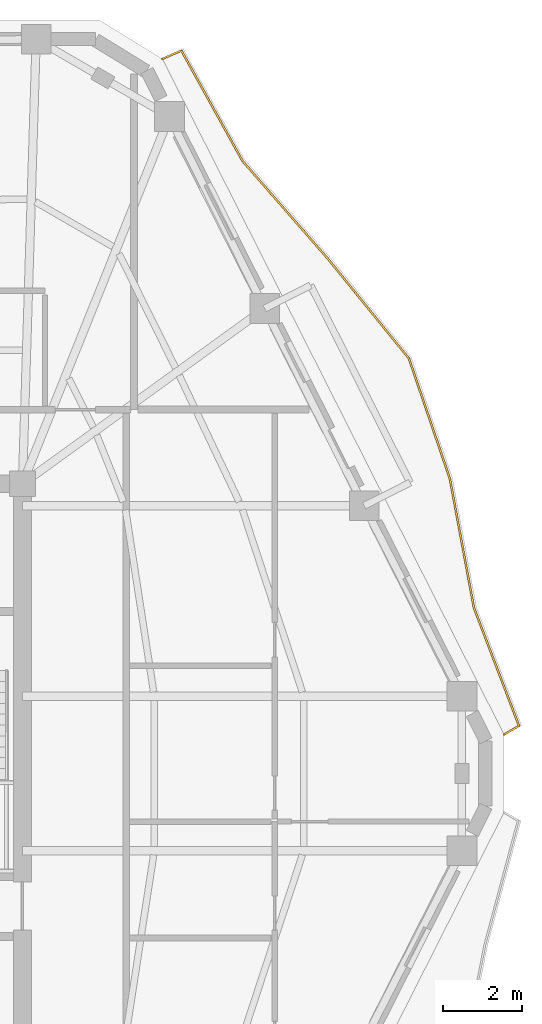
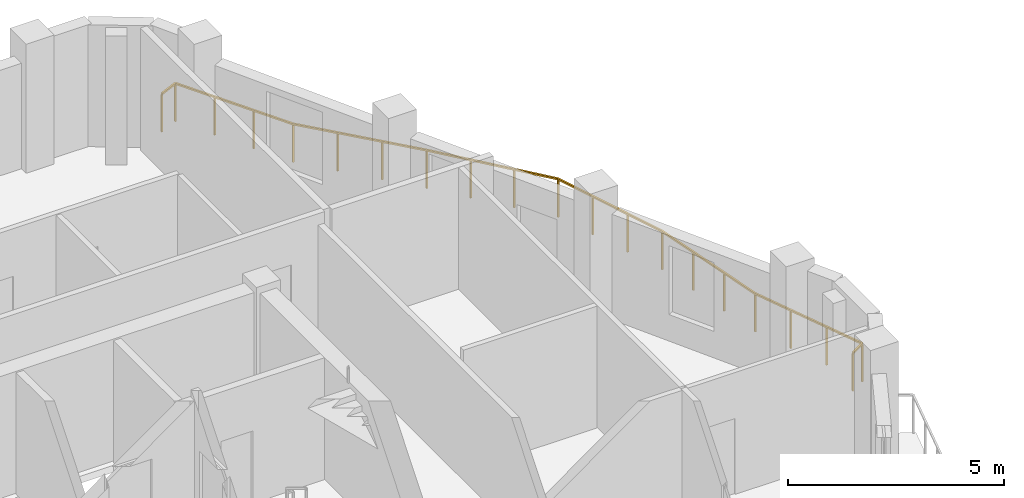
# One storey, part 12 of 12: 1 railing.
"""IFC4 building model written with IfcOpenShell, lengths in metres."""

from ifc_helpers import new_model, si_unit, direction, frame, origin, origin_2d, place, context, subcontext, project, spatial, rectangle, extrude, material, type_object, element, save


model = new_model("IFC4")

# Units and contexts
model_context = context("Model", 3, precision=1e-05, world=origin(), true_north=direction((0.0, 1.0)))
body_context = subcontext(model_context, "Body", "Model", "MODEL_VIEW")
ifc_project = project(units=[si_unit("LENGTHUNIT", "METRE"), si_unit("AREAUNIT", "SQUARE_METRE"), si_unit("VOLUMEUNIT", "CUBIC_METRE"), si_unit("PLANEANGLEUNIT", "RADIAN"), si_unit("MASSUNIT", "GRAM", prefix="KILO")], contexts=[model_context])

# Site, building, storey
site_placement = place(None, origin())
site = spatial("IfcSite", under=ifc_project, at=site_placement, CompositionType="ELEMENT")
building_placement = place(site_placement, origin())
building = spatial("IfcBuilding", under=site, at=building_placement, Name="Cinnabar Lancet Tower", CompositionType="ELEMENT")
storey_placement = place(building_placement, frame((0.0, 0.0, 237.949951171875)))
storey = spatial("IfcBuildingStorey", under=building, at=storey_placement, Name="L63", CompositionType="ELEMENT", Elevation=237.949951171875)

# Railing
ifc_material = material(Name="Laminated safety glass and bronze stainless steel balustrade", Category="steel")
railing_type = type_object("IfcRailingType", Name="ENV-RLG-BAL-1100", PredefinedType="BALUSTRADE", material=ifc_material)
railing_placement = place(storey_placement, frame((53.802978515625, 26.781982421875, 0.0)))
element("IfcRailing", 1, at=railing_placement, inside=storey, type_object=railing_type, Name="L63 Face 3 Wave Balcony Balustrade", PredefinedType="BALUSTRADE", context=body_context, shape_type="SweptSolid", body=[
    extrude(rectangle(XDim=0.048095703125, YDim=0.048095703125, at=origin_2d()), frame((0.0, 0.0, 1.076171875), z_axis=(0.861171347006, 0.508314775603, 0.0), x_axis=(-0.508314775603, 0.861171347006, 0.0)), (0.0, 0.0, 1.0), 0.4365234375),
    extrude(rectangle(XDim=0.048095703125, YDim=0.048095703125, at=origin_2d()), frame((0.3759765625, 0.221923828125, 1.076171875), z_axis=(-0.356696720586, 0.934220236092, 0.0), x_axis=(-0.934220236092, -0.356696720586, 0.0)), (0.0, 0.0, 1.0), 3.198486328125),
    extrude(rectangle(XDim=0.048095703125, YDim=0.048095703125, at=origin_2d()), frame((-0.764892578125, 3.2099609375, 1.076171875), z_axis=(-0.182922819624, 0.983127276634, 0.0), x_axis=(-0.983127276634, -0.182922819624, 0.0)), (0.0, 0.0, 1.0), 3.31396484375),
    extrude(rectangle(XDim=0.048095703125, YDim=0.048095703125, at=origin_2d()), frame((-1.37109375, 6.468017578125, 1.076171875), z_axis=(-0.322265247347, 0.946649412588, 0.0), x_axis=(-0.946649412588, -0.322265247347, 0.0)), (0.0, 0.0, 1.0), 3.21142578125),
    extrude(rectangle(XDim=0.048095703125, YDim=0.048095703125, at=origin_2d()), frame((-2.406005859375, 9.508056640625, 1.076171875), z_axis=(-0.630575686436, 0.77612776247, 0.0), x_axis=(-0.77612776247, -0.630575686436, 0.0)), (0.0, 0.0, 1.0), 3.255615234375),
    extrude(rectangle(XDim=0.048095703125, YDim=0.048095703125, at=origin_2d()), frame((-4.458984375, 12.034912109375, 1.076171875), z_axis=(-0.657608725672, 0.753359651109, 0.0), x_axis=(-0.753359651109, -0.657608725672, 0.0)), (0.0, 0.0, 1.0), 3.281494140625),
    extrude(rectangle(XDim=0.048095703125, YDim=0.048095703125, at=origin_2d()), frame((-6.616943359375, 14.507080078125, 1.076171875), z_axis=(-0.484138806541, 0.874991209099, 0.0), x_axis=(-0.874991209099, -0.484138806541, 0.0)), (0.0, 0.0, 1.0), 3.18505859375),
    extrude(rectangle(XDim=0.048095703125, YDim=0.048095703125, at=origin_2d()), frame((-8.158935546875, 17.2939453125, 1.076171875), z_axis=(-0.918495616649, -0.395431159871, 0.0), x_axis=(0.395431159871, -0.918495616649, 0.0)), (0.0, 0.0, 1.0), 0.526123046875),
    extrude(rectangle(XDim=0.0419921875, YDim=0.0419921875, at=origin_2d()), origin(), (0.0, 0.0, 1.0), 1.052001953125),
    extrude(rectangle(XDim=0.0419921875, YDim=0.0419921875, at=origin_2d()), frame((0.3759765625, 0.221923828125, 0.0)), (0.0, 0.0, 1.0), 1.052001953125),
    extrude(rectangle(XDim=0.0419921875, YDim=0.0419921875, at=origin_2d()), frame((-0.00439453125, 1.218017578125, 0.0)), (0.0, 0.0, 1.0), 1.052001953125),
    extrude(rectangle(XDim=0.0419921875, YDim=0.0419921875, at=origin_2d()), frame((-0.384521484375, 2.2138671875, 0.0)), (0.0, 0.0, 1.0), 1.052001953125),
    extrude(rectangle(XDim=0.0419921875, YDim=0.0419921875, at=origin_2d()), frame((-0.764892578125, 3.2099609375, 0.0)), (0.0, 0.0, 1.0), 1.052001953125),
    extrude(rectangle(XDim=0.0419921875, YDim=0.0419921875, at=origin_2d()), frame((-0.967041015625, 4.2958984375, 0.0)), (0.0, 0.0, 1.0), 1.052001953125),
    extrude(rectangle(XDim=0.0419921875, YDim=0.0419921875, at=origin_2d()), frame((-1.1689453125, 5.382080078125, 0.0)), (0.0, 0.0, 1.0), 1.052001953125),
    extrude(rectangle(XDim=0.0419921875, YDim=0.0419921875, at=origin_2d()), frame((-1.37109375, 6.468017578125, 0.0)), (0.0, 0.0, 1.0), 1.052001953125),
    extrude(rectangle(XDim=0.0419921875, YDim=0.0419921875, at=origin_2d()), frame((-1.716064453125, 7.4814453125, 0.0)), (0.0, 0.0, 1.0), 1.052001953125),
    extrude(rectangle(XDim=0.0419921875, YDim=0.0419921875, at=origin_2d()), frame((-2.06103515625, 8.49462890625, 0.0)), (0.0, 0.0, 1.0), 1.052001953125),
    extrude(rectangle(XDim=0.0419921875, YDim=0.0419921875, at=origin_2d()), frame((-2.406005859375, 9.508056640625, 0.0)), (0.0, 0.0, 1.0), 1.052001953125),
    extrude(rectangle(XDim=0.0419921875, YDim=0.0419921875, at=origin_2d()), frame((-3.09033203125, 10.350341796875, 0.0)), (0.0, 0.0, 1.0), 1.052001953125),
    extrude(rectangle(XDim=0.0419921875, YDim=0.0419921875, at=origin_2d()), frame((-3.774658203125, 11.192626953125, 0.0)), (0.0, 0.0, 1.0), 1.052001953125),
    extrude(rectangle(XDim=0.0419921875, YDim=0.0419921875, at=origin_2d()), frame((-4.458984375, 12.034912109375, 0.0)), (0.0, 0.0, 1.0), 1.052001953125),
    extrude(rectangle(XDim=0.0419921875, YDim=0.0419921875, at=origin_2d()), frame((-5.17822265625, 12.85888671875, 0.0)), (0.0, 0.0, 1.0), 1.052001953125),
    extrude(rectangle(XDim=0.0419921875, YDim=0.0419921875, at=origin_2d()), frame((-5.897705078125, 13.68310546875, 0.0)), (0.0, 0.0, 1.0), 1.052001953125),
    extrude(rectangle(XDim=0.0419921875, YDim=0.0419921875, at=origin_2d()), frame((-6.616943359375, 14.507080078125, 0.0)), (0.0, 0.0, 1.0), 1.052001953125),
    extrude(rectangle(XDim=0.0419921875, YDim=0.0419921875, at=origin_2d()), frame((-7.130859375, 15.43603515625, 0.0)), (0.0, 0.0, 1.0), 1.052001953125),
    extrude(rectangle(XDim=0.0419921875, YDim=0.0419921875, at=origin_2d()), frame((-7.64501953125, 16.364990234375, 0.0)), (0.0, 0.0, 1.0), 1.052001953125),
    extrude(rectangle(XDim=0.0419921875, YDim=0.0419921875, at=origin_2d()), frame((-8.158935546875, 17.2939453125, 0.0)), (0.0, 0.0, 1.0), 1.052001953125),
    extrude(rectangle(XDim=0.0419921875, YDim=0.0419921875, at=origin_2d()), frame((-8.64208984375, 17.0859375, 0.0)), (0.0, 0.0, 1.0), 1.052001953125),
])

save(model, "model.ifc")
